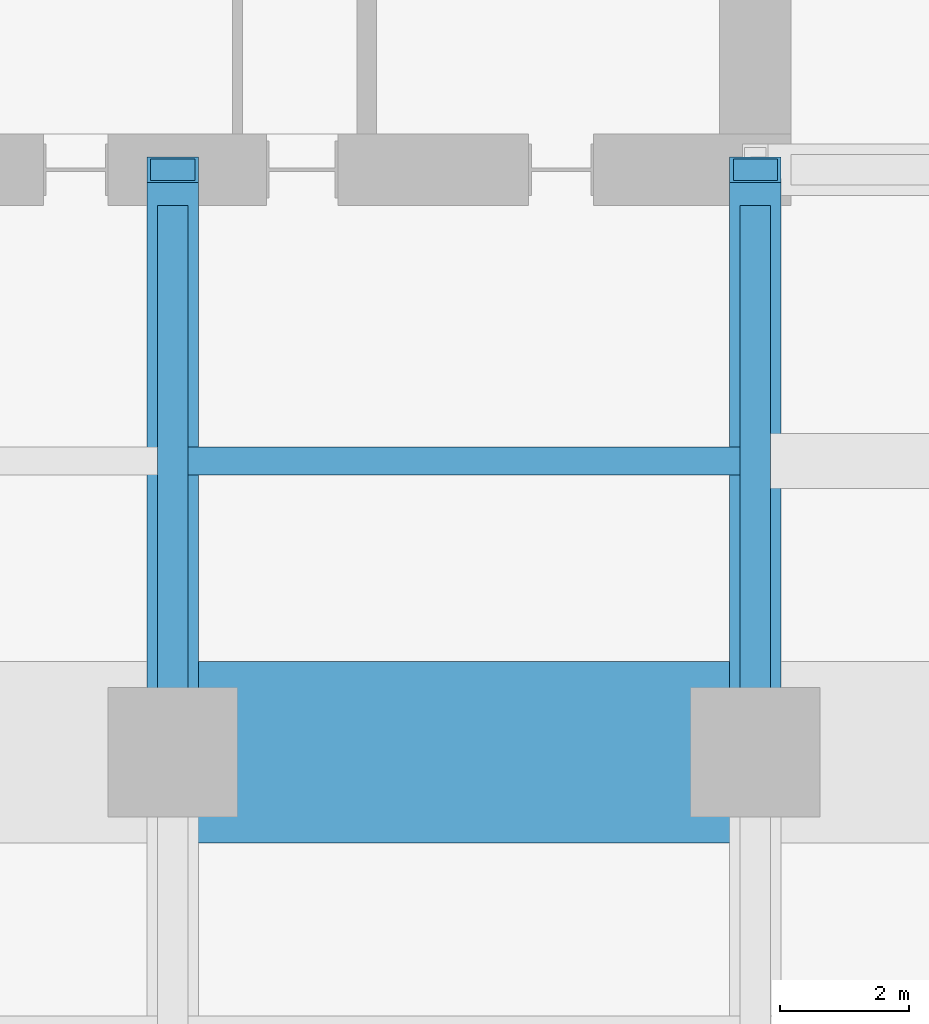
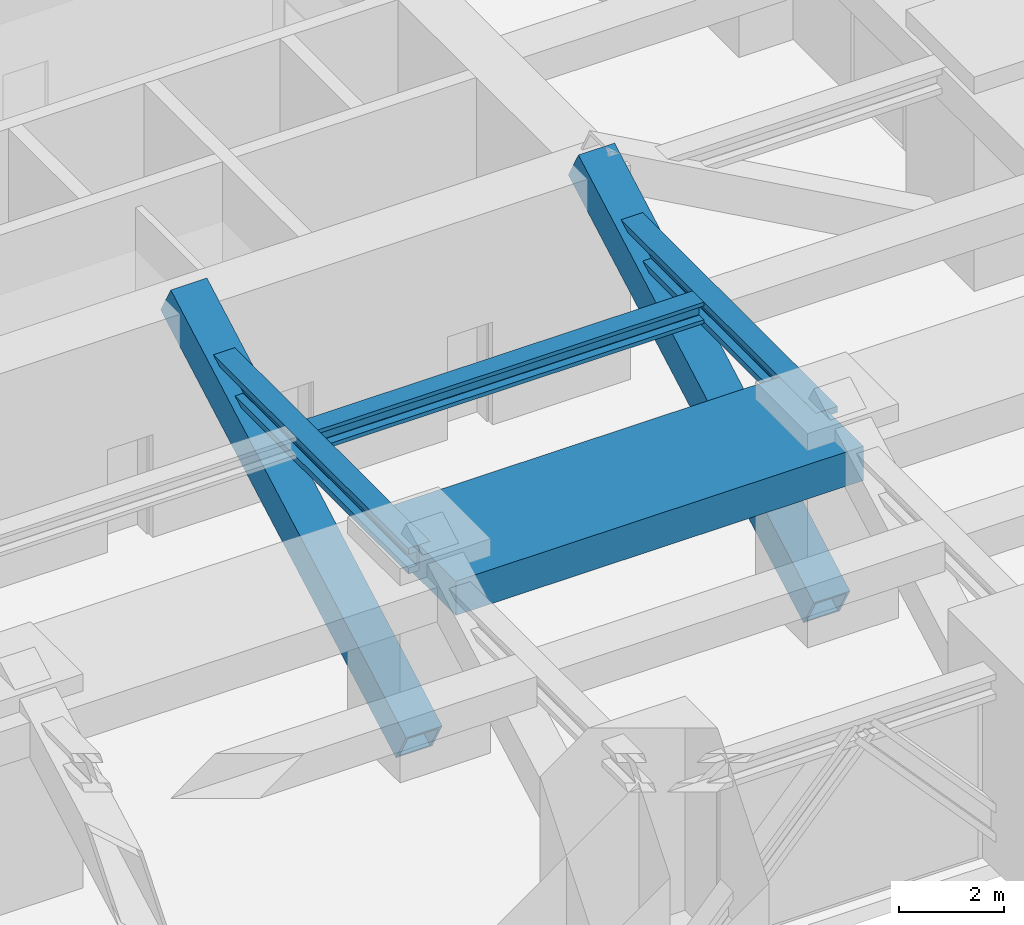
# One storey, part 14 of 38: 4 beams, 2 members.
"""IFC4 building model written with IfcOpenShell, lengths in metres."""

from ifc_helpers import new_model, si_unit, direction, frame, origin, origin_2d, place, context, subcontext, project, spatial, rectangle, hollow_rectangle, i_section, extrude, material, material_profile, profile_set, type_object, element, save


model = new_model("IFC4")

# Units and contexts
model_context = context("Model", 3, precision=1e-05, world=origin(), true_north=direction((0.0, 1.0)))
body_context = subcontext(model_context, "Body", "Model", "MODEL_VIEW")
ifc_project = project(units=[si_unit("LENGTHUNIT", "METRE"), si_unit("AREAUNIT", "SQUARE_METRE"), si_unit("VOLUMEUNIT", "CUBIC_METRE"), si_unit("PLANEANGLEUNIT", "RADIAN"), si_unit("MASSUNIT", "GRAM", prefix="KILO")], contexts=[model_context])

# Site, building, storey
site_placement = place(None, origin())
site = spatial("IfcSite", under=ifc_project, at=site_placement, CompositionType="ELEMENT")
building_placement = place(site_placement, origin())
building = spatial("IfcBuilding", under=site, at=building_placement, Name="Zorevar Civic Tower", CompositionType="ELEMENT")
storey_placement = place(building_placement, frame((0.0, 0.0, 157.199951171875)))
storey = spatial("IfcBuildingStorey", under=building, at=storey_placement, Name="L38", CompositionType="ELEMENT", Elevation=157.199951171875)

# Beams
ifc_material_1 = material(Name="Concrete C50/60", Category="concrete")
ifc_material_profile_1 = material_profile(ifc_material_1, rectangle(XDim=2.800048828125, YDim=0.800048828125, at=origin_2d()), Name="RC 2800x800")
ifc_profile_set_1 = profile_set([ifc_material_profile_1], Name="Concrete C50/60")
beam_type_1 = type_object("IfcBeamType", Name="Beam RC 2800x800", PredefinedType="BEAM", material=ifc_profile_set_1)
beam_1_placement = place(storey_placement, frame((36.0, 9.0, 4.199951171875), z_axis=(1.0, 0.0, 0.0), x_axis=(0.0, 1.0, 0.0)))
element("IfcBeam", 1, at=beam_1_placement, inside=storey, type_object=beam_type_1, Name="Girder L39", PredefinedType="BEAM", context=body_context, shape_type="SweptSolid", body=[
    extrude(rectangle(XDim=2.800048828125, YDim=0.800048828125, at=origin_2d()), origin(), (0.0, 0.0, 1.0), 9.0),
])
ifc_material_2 = material(Name="Steel S460M (HISTAR 460)", Category="steel")
ifc_material_profile_2 = material_profile(ifc_material_2, i_section(OverallWidth=0.431884765625, OverallDepth=0.498046875, WebThickness=0.0556640625, FlangeThickness=0.0888671875, FilletRadius=0.014892578125, at=origin_2d()), Name="HD 400x744")
ifc_profile_set_2 = profile_set([ifc_material_profile_2], Name="Steel S460M (HISTAR 460)")
beam_type_2 = type_object("IfcBeamType", Name="Core bay beam HD 400x744", PredefinedType="BEAM", material=ifc_profile_set_2)
beam_2_placement = place(storey_placement, frame((36.238037109375, 13.5, 4.35107421875), z_axis=(1.0, 0.0, 0.0), x_axis=(0.0, 1.0, 0.0)))
element("IfcBeam", 2, at=beam_2_placement, inside=storey, type_object=beam_type_2, Name="Secondary beam L39", PredefinedType="BEAM", context=body_context, shape_type="SweptSolid", body=[
    extrude(i_section(OverallWidth=0.431884765625, OverallDepth=0.498046875, WebThickness=0.0556640625, FlangeThickness=0.0888671875, FilletRadius=0.014892578125, at=origin_2d()), origin(), (0.0, 0.0, 1.0), 8.52392578125),
])
ifc_material_3 = material(Name="Steel S460M (HISTAR 460)", Category="steel")
ifc_material_profile_3 = material_profile(ifc_material_3, i_section(OverallWidth=0.47607421875, OverallDepth=0.60009765625, WebThickness=0.10009765625, FlangeThickness=0.139892578125, FilletRadius=0.014892578125, at=origin_2d()), Name="HD 400x1299")
ifc_profile_set_3 = profile_set([ifc_material_profile_3], Name="Steel S460M (HISTAR 460)")
beam_type_3 = type_object("IfcBeamType", Name="Outrigger chord HD 400x1299", PredefinedType="BEAM", material=ifc_profile_set_3)
for number, where, z_axis, x_axis, name in (
    (3, (36.0, 9.0, 4.300048828125), (0.0, 1.0, 0.0), (-1.0, 0.0, 0.0), "Outrigger chord L39"),
    (4, (45.0, 9.0, 4.300048828125), (0.0, 1.0, 0.0), (-1.0, 0.0, 0.0), "Outrigger chord L39"),
):
    element("IfcBeam", number, at=place(storey_placement, frame(where, z_axis=z_axis, x_axis=x_axis)), inside=storey, type_object=beam_type_3, Name=name, PredefinedType="BEAM", context=body_context, shape_type="SweptSolid", body=[
        extrude(i_section(OverallWidth=0.47607421875, OverallDepth=0.60009765625, WebThickness=0.10009765625, FlangeThickness=0.139892578125, FilletRadius=0.014892578125, at=origin_2d()), origin(), (0.0, 0.0, 1.0), 8.449951171875),
    ])

# Members
ifc_material_4 = material(Name="Steel S460M (HISTAR 460)", Category="steel")
ifc_material_profile_4 = material_profile(ifc_material_4, hollow_rectangle(XDim=0.800048828125, YDim=0.800048828125, WallThickness=0.06005859375, at=origin_2d()), Name="BOX 800x800x60")
ifc_profile_set_4 = profile_set([ifc_material_profile_4], Name="Steel S460M (HISTAR 460)")
member_type = type_object("IfcMemberType", Name="Outrigger diagonal BOX 800x800x60", PredefinedType="BRACE", material=ifc_profile_set_4)
for number, where, z_axis, x_axis, name in (
    (5, (36.0, 18.0, 5.0), (0.0, -0.874157276122, -0.485642931179), (1.0, 0.0, 0.0), "Outrigger diagonal S L38"),
    (6, (45.0, 18.0, 5.0), (0.0, -0.874157276122, -0.485642931179), (1.0, 0.0, 0.0), "Outrigger diagonal S L38"),
):
    element("IfcMember", number, at=place(storey_placement, frame(where, z_axis=z_axis, x_axis=x_axis)), inside=storey, type_object=member_type, Name=name, PredefinedType="BRACE", context=body_context, shape_type="SweptSolid", body=[
        extrude(hollow_rectangle(XDim=0.800048828125, YDim=0.800048828125, WallThickness=0.06005859375, at=origin_2d()), origin(), (0.0, 0.0, 1.0), 10.295654296875),
    ])

save(model, "model.ifc")
